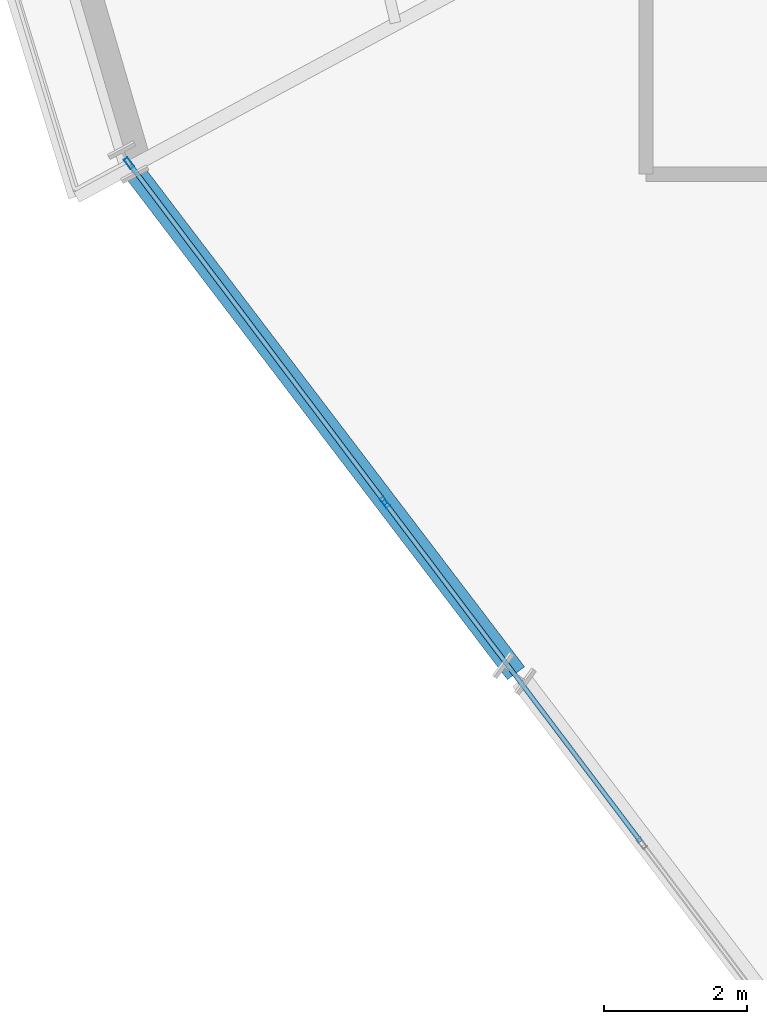
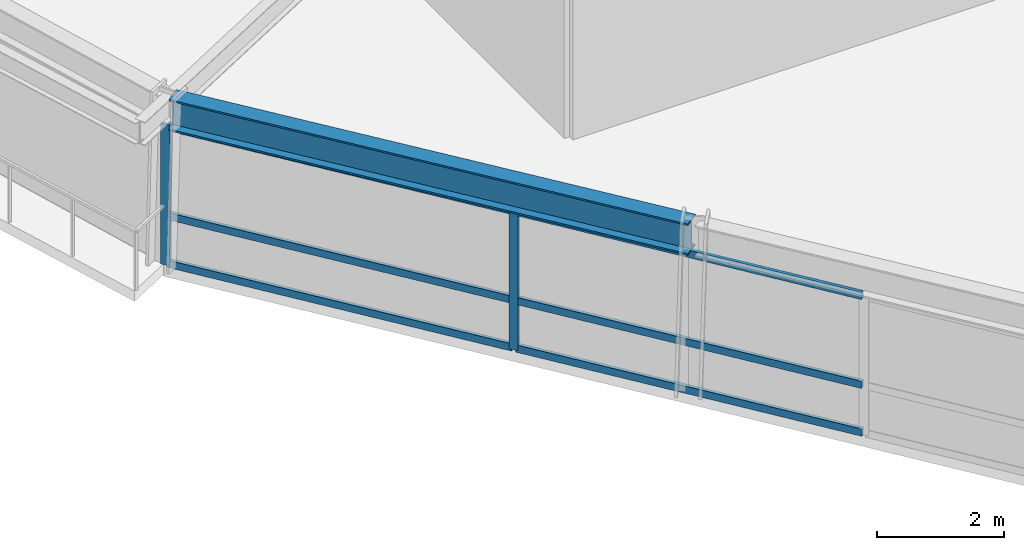
# One storey, part 3 of 15: 8 members, 1 beam, 1 element without a shape of its own.
"""IFC4 building model written with IfcOpenShell, lengths in metres."""

from ifc_helpers import new_model, si_unit, direction, frame, origin, origin_2d, place, context, subcontext, project, spatial, hollow_rectangle, i_section, extrude, source, transform, mapped, material, material_profile, profile_set, type_object, element, aggregate, save


model = new_model("IFC4")

# Units and contexts
model_context = context("Model", 3, precision=1e-05, world=origin(), true_north=direction((0.0, 1.0)))
body_context = subcontext(model_context, "Body", "Model", "MODEL_VIEW")
ifc_project = project(units=[si_unit("LENGTHUNIT", "METRE"), si_unit("AREAUNIT", "SQUARE_METRE"), si_unit("VOLUMEUNIT", "CUBIC_METRE"), si_unit("PLANEANGLEUNIT", "RADIAN"), si_unit("MASSUNIT", "GRAM", prefix="KILO")], contexts=[model_context])

# Site, building, storey
site_placement = place(None, origin())
site = spatial("IfcSite", under=ifc_project, at=site_placement, CompositionType="ELEMENT")
building_placement = place(site_placement, origin())
building = spatial("IfcBuilding", under=site, at=building_placement, Name="Olszyna Solenne Hotel", CompositionType="ELEMENT")
storey_placement = place(building_placement, frame((0.0, 0.0, 150.14990234375)))
storey = spatial("IfcBuildingStorey", under=building, at=storey_placement, Name="L39", CompositionType="ELEMENT", Elevation=150.14990234375)

# Beam
ifc_material_1 = material(Name="Steel S355J2", Category="steel")
ifc_material_profile_1 = material_profile(ifc_material_1, i_section(OverallWidth=0.300048828125, OverallDepth=0.60009765625, WebThickness=0.015380859375, FlangeThickness=0.030029296875, at=origin_2d()), Name="HEB 600", Category="load-bearing")
ifc_profile_set_1 = profile_set([ifc_material_profile_1], Name="Steel S355J2")
beam_type = type_object("IfcBeamType", Name="BM-S2", PredefinedType="BEAM", material=ifc_profile_set_1)
shared_shape_1 = source(origin(), body_context, "Body", "SweptSolid", [
    extrude(i_section(OverallWidth=0.300048828125, OverallDepth=0.60009765625, WebThickness=0.015380859375, FlangeThickness=0.030029296875, at=origin_2d()), origin(), (0.0, 0.0, 1.0), 8.8720703125),
])
beam_placement = place(storey_placement, frame((20.40283203125, 17.056884765625, 3.0), z_axis=(0.605563887176, -0.795796694231, 0.0), x_axis=(0.795796694231, 0.605563887176, 0.0)))
element("IfcBeam", 1, at=beam_placement, inside=storey, type_object=beam_type, Name="Perimeter spandrel beam BM-S2 B-L39-1162", PredefinedType="BEAM", context=body_context, shape_type="MappedRepresentation", body=[
    mapped(shared_shape_1, transform((0.0, 0.0, 0.0), x_axis=(1.0, 0.0, 0.0), y_axis=(0.0, 1.0, 0.0), z_axis=(0.0, 0.0, 1.0), scale=1.0)),
])

# Curtain wall, members
ifc_material_2 = material(Name="Anodised bronze aluminium", Category="aluminium")
curtain_wall_type = type_object("IfcCurtainWallType", Name="CW-SYS-4", PredefinedType="NOTDEFINED", material=ifc_material_2)
curtain_wall_placement = place(storey_placement, origin())
curtain_wall = element("IfcCurtainWall", 2, at=curtain_wall_placement, inside=storey, type_object=curtain_wall_type, Name="Unitised curtain wall CW-SYS-4 CW-L39-01", PredefinedType="NOTDEFINED")
ifc_material_profile_2 = material_profile(ifc_material_2, hollow_rectangle(XDim=0.06494140625, YDim=0.159912109375, WallThickness=0.00390625, at=origin_2d()), Name="MULL 160x65x4", Category="load-bearing")
ifc_profile_set_2 = profile_set([ifc_material_profile_2], Name="Anodised bronze aluminium")
member_type_1 = type_object("IfcMemberType", Name="CW-M3", PredefinedType="MULLION", material=ifc_profile_set_2)
shared_shape_2 = source(origin(), body_context, "Body", "SweptSolid", [
    extrude(hollow_rectangle(XDim=0.06494140625, YDim=0.159912109375, WallThickness=0.00390625, at=origin_2d()), origin(), (0.0, 0.0, 1.0), 2.692138671875),
])
member_1_placement = place(storey_placement, frame((20.3447265625, 17.15576171875, 0.0), z_axis=(0.0, 0.0, 1.0), x_axis=(0.798435917295, 0.602079800336, 0.0)))
member_1 = element("IfcMember", 3, at=member_1_placement, type_object=member_type_1, Name="Curtain-wall mullion CW-M3 CM-L39-01-01", PredefinedType="MULLION", context=body_context, shape_type="MappedRepresentation", body=[
    mapped(shared_shape_2, transform((0.0, 0.0, 0.0), x_axis=(1.0, 0.0, 0.0), y_axis=(0.0, 1.0, 0.0), z_axis=(0.0, 0.0, 1.0), scale=1.0)),
])
member_2_placement = place(storey_placement, frame((23.9345703125, 12.3955078125, 0.0), z_axis=(0.0, 0.0, 1.0), x_axis=(0.798435917295, 0.602079800336, 0.0)))
member_2 = element("IfcMember", 4, at=member_2_placement, type_object=member_type_1, Name="Curtain-wall mullion CW-M3 CM-L39-01-02", PredefinedType="MULLION", context=body_context, shape_type="MappedRepresentation", body=[
    mapped(shared_shape_2, transform((0.0, 0.0, 0.0), x_axis=(1.0, 0.0, 0.0), y_axis=(0.0, 1.0, 0.0), z_axis=(0.0, 0.0, 1.0), scale=1.0)),
])
ifc_material_profile_3 = material_profile(ifc_material_2, hollow_rectangle(XDim=0.06494140625, YDim=0.139892578125, WallThickness=0.00390625, at=origin_2d()), Name="TRAN 140x65x4", Category="load-bearing")
ifc_profile_set_3 = profile_set([ifc_material_profile_3], Name="Anodised bronze aluminium")
member_type_2 = type_object("IfcMemberType", Name="CW-T2", PredefinedType="USERDEFINED", material=ifc_profile_set_3)
shared_shape_3 = source(origin(), body_context, "Body", "SweptSolid", [
    extrude(hollow_rectangle(XDim=0.06494140625, YDim=0.139892578125, WallThickness=0.00390625, at=origin_2d()), origin(), (0.0, 0.0, 1.0), 5.897216796875),
])
member_3_placement = place(storey_placement, frame((20.3642578125, 17.1298828125, 0.03271484375), z_axis=(0.602104291696, -0.798417448408, 0.0), x_axis=(0.798417448408, 0.602104291696, 0.0)))
member_3 = element("IfcMember", 5, at=member_3_placement, type_object=member_type_2, Name="Curtain-wall transom CW-T2 CT-L39-01-01", ObjectType="TRANSOM", PredefinedType="USERDEFINED", context=body_context, shape_type="MappedRepresentation", body=[
    mapped(shared_shape_3, transform((0.0, 0.0, 0.0), x_axis=(1.0, 0.0, 0.0), y_axis=(0.0, 1.0, 0.0), z_axis=(0.0, 0.0, 1.0), scale=1.0)),
])
member_4_placement = place(storey_placement, frame((20.3642578125, 17.1298828125, 0.9501953125), z_axis=(0.602104291696, -0.798417448408, 0.0), x_axis=(0.798417448408, 0.602104291696, 0.0)))
member_4 = element("IfcMember", 6, at=member_4_placement, type_object=member_type_2, Name="Curtain-wall transom CW-T2 CT-L39-01-02", ObjectType="TRANSOM", PredefinedType="USERDEFINED", context=body_context, shape_type="MappedRepresentation", body=[
    mapped(shared_shape_3, transform((0.0, 0.0, 0.0), x_axis=(1.0, 0.0, 0.0), y_axis=(0.0, 1.0, 0.0), z_axis=(0.0, 0.0, 1.0), scale=1.0)),
])
member_5_placement = place(storey_placement, frame((20.3642578125, 17.1298828125, 2.65966796875), z_axis=(0.602104291696, -0.798417448408, 0.0), x_axis=(0.798417448408, 0.602104291696, 0.0)))
member_5 = element("IfcMember", 7, at=member_5_placement, type_object=member_type_2, Name="Curtain-wall transom CW-T2 CT-L39-01-03", ObjectType="TRANSOM", PredefinedType="USERDEFINED", context=body_context, shape_type="MappedRepresentation", body=[
    mapped(shared_shape_3, transform((0.0, 0.0, 0.0), x_axis=(1.0, 0.0, 0.0), y_axis=(0.0, 1.0, 0.0), z_axis=(0.0, 0.0, 1.0), scale=1.0)),
])
shared_shape_4 = source(origin(), body_context, "Body", "SweptSolid", [
    extrude(hollow_rectangle(XDim=0.06494140625, YDim=0.139892578125, WallThickness=0.00390625, at=origin_2d()), origin(), (0.0, 0.0, 1.0), 5.929443359375),
])
member_6_placement = place(storey_placement, frame((23.9541015625, 12.369384765625, 0.03271484375), z_axis=(0.602079699428, -0.798435993388, 0.0), x_axis=(0.798435993388, 0.602079699428, 0.0)))
member_6 = element("IfcMember", 8, at=member_6_placement, type_object=member_type_2, Name="Curtain-wall transom CW-T2 CT-L39-01-04", ObjectType="TRANSOM", PredefinedType="USERDEFINED", context=body_context, shape_type="MappedRepresentation", body=[
    mapped(shared_shape_4, transform((0.0, 0.0, 0.0), x_axis=(1.0, 0.0, 0.0), y_axis=(0.0, 1.0, 0.0), z_axis=(0.0, 0.0, 1.0), scale=1.0)),
])
member_7_placement = place(storey_placement, frame((23.9541015625, 12.369384765625, 0.9501953125), z_axis=(0.602079699428, -0.798435993388, 0.0), x_axis=(0.798435993388, 0.602079699428, 0.0)))
member_7 = element("IfcMember", 9, at=member_7_placement, type_object=member_type_2, Name="Curtain-wall transom CW-T2 CT-L39-01-05", ObjectType="TRANSOM", PredefinedType="USERDEFINED", context=body_context, shape_type="MappedRepresentation", body=[
    mapped(shared_shape_4, transform((0.0, 0.0, 0.0), x_axis=(1.0, 0.0, 0.0), y_axis=(0.0, 1.0, 0.0), z_axis=(0.0, 0.0, 1.0), scale=1.0)),
])
member_8_placement = place(storey_placement, frame((23.9541015625, 12.369384765625, 2.65966796875), z_axis=(0.602079699428, -0.798435993388, 0.0), x_axis=(0.798435993388, 0.602079699428, 0.0)))
member_8 = element("IfcMember", 10, at=member_8_placement, type_object=member_type_2, Name="Curtain-wall transom CW-T2 CT-L39-01-06", ObjectType="TRANSOM", PredefinedType="USERDEFINED", context=body_context, shape_type="MappedRepresentation", body=[
    mapped(shared_shape_4, transform((0.0, 0.0, 0.0), x_axis=(1.0, 0.0, 0.0), y_axis=(0.0, 1.0, 0.0), z_axis=(0.0, 0.0, 1.0), scale=1.0)),
])
aggregate(curtain_wall, [member_1, member_2, member_3, member_4, member_5, member_6, member_7, member_8])

save(model, "model.ifc")
